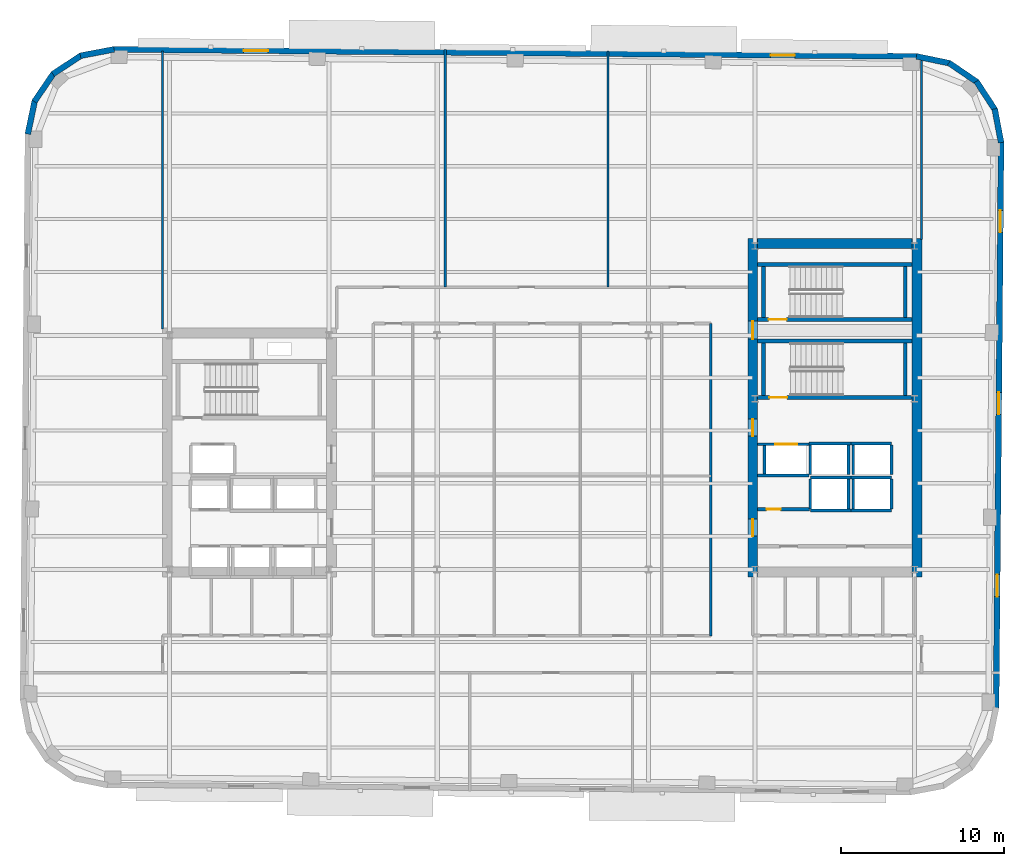
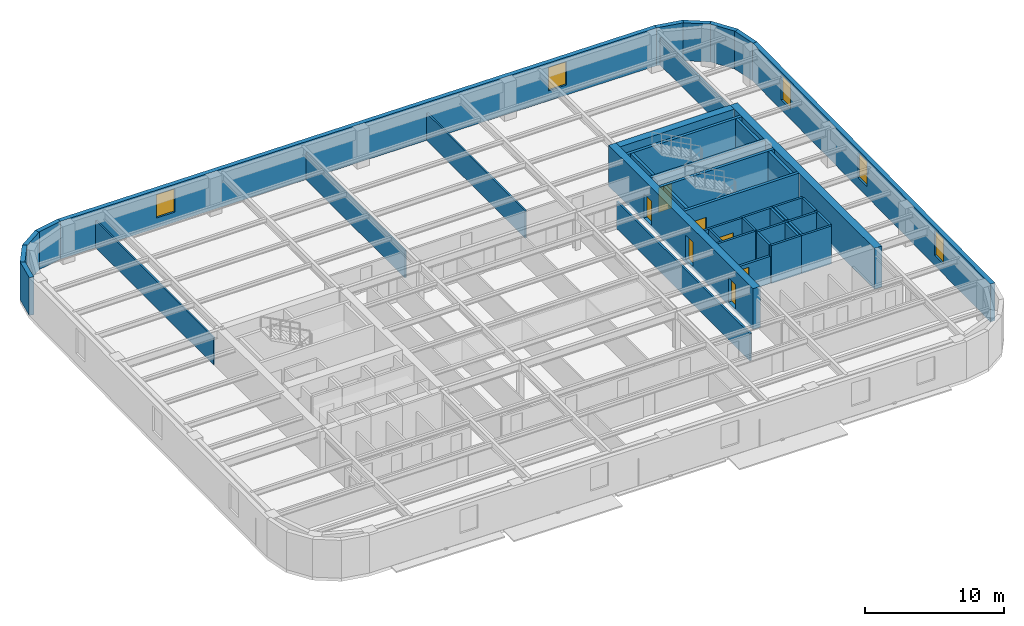
# One storey, part 6 of 11: 44 walls, 7 doors, 5 windows, 12 openings.
"""IFC4 building model written with IfcOpenShell, lengths in metres."""

from ifc_helpers import new_model, si_unit, direction, frame, frame_2d, origin, place, context, subcontext, project, spatial, rectangle, extrude, material, layer, layer_set, type_object, element, fill, save


model = new_model("IFC4")

# Units and contexts
model_context = context("Model", 3, precision=1e-05, world=origin(), true_north=direction((0.0, 1.0)))
body_context = subcontext(model_context, "Body", "Model", "MODEL_VIEW")
ifc_project = project(units=[si_unit("LENGTHUNIT", "METRE"), si_unit("AREAUNIT", "SQUARE_METRE"), si_unit("VOLUMEUNIT", "CUBIC_METRE"), si_unit("PLANEANGLEUNIT", "RADIAN"), si_unit("MASSUNIT", "GRAM", prefix="KILO")], contexts=[model_context])

# Site, building, storey
site_placement = place(None, origin())
site = spatial("IfcSite", under=ifc_project, at=site_placement, CompositionType="ELEMENT")
building_placement = place(site_placement, origin())
building = spatial("IfcBuilding", under=site, at=building_placement, Name="Kolvaren Arena Tower", CompositionType="ELEMENT")
storey_placement = place(building_placement, frame((0.0, 0.0, 207.199951171875)))
storey = spatial("IfcBuildingStorey", under=building, at=storey_placement, Name="L50", CompositionType="ELEMENT", Elevation=207.199951171875)

# Wall
ifc_material_1 = material(Name="Gypsum board acoustic assembly", Category="gypsum")
ifc_layer_1 = layer(ifc_material_1, 0.159912109375)
ifc_layer_set_1 = layer_set([ifc_layer_1], Name="Gypsum board acoustic assembly")
wall_type_1 = type_object("IfcWallType", Name="CORR-160", PredefinedType="PARTITIONING", material=ifc_layer_set_1)
wall_1_placement = place(storey_placement, frame((47.820068359375, 15.3798828125, 0.0), z_axis=(0.0, 0.0, 1.0), x_axis=(0.0, 1.0, 0.0)))
element("IfcWall", 1, at=wall_1_placement, inside=storey, type_object=wall_type_1, Name="Interior Partition Wall (L50)", PredefinedType="PARTITIONING", context=body_context, shape_type="SweptSolid", body=[
    extrude(rectangle(XDim=19.2001953125, YDim=0.159912109375, at=frame_2d((9.60009765625, 0.0))), origin(), (0.0, 0.0, 1.0), 2.39013671875),
])

# Wall, openings, doors
ifc_material_2 = material(Name="Concrete 60 MPa", Category="concrete")
ifc_layer_2 = layer(ifc_material_2, 0.60009765625)
ifc_layer_set_2 = layer_set([ifc_layer_2], Name="Concrete 60 MPa")
wall_type_2 = type_object("IfcWallType", Name="CWALL-600", PredefinedType="SHEAR", material=ifc_layer_set_2)
wall_2_placement = place(storey_placement, frame((50.39990234375, 19.0, -0.27001953125), z_axis=(0.0, 0.0, 1.0), x_axis=(0.0, 1.0, 0.0)))
wall_2 = element("IfcWall", 2, at=wall_2_placement, inside=storey, type_object=wall_type_2, Name="Core Shear Wall EC-WEST (L50)", PredefinedType="SHEAR", context=body_context, shape_type="SweptSolid", body=[
    extrude(rectangle(XDim=20.800048828125, YDim=0.60009765625, at=frame_2d((10.39990234375, 0.0))), origin(), (0.0, 0.0, 1.0), 3.60009765625),
])
opening_1_placement = place(wall_2_placement, frame((2.5, 0.0, 0.27001953125)))
opening_1 = element("IfcOpeningElement", 3, at=opening_1_placement, cuts=wall_2, Name="Opening D04", PredefinedType="OPENING", context=body_context, shape_type="SweptSolid", body=[
    extrude(rectangle(XDim=1.050048828125, YDim=2.14990234375, at=frame_2d((0.52490234375, 1.074951171875))), frame((0.0, 0.31005859375, 0.0), z_axis=(0.0, -1.0, 0.0), x_axis=(1.0, 0.0, 0.0)), (0.0, 0.0, 1.0), 0.6201171875),
])
opening_2_placement = place(wall_2_placement, frame((8.64990234375, 0.0, 0.27001953125)))
opening_2 = element("IfcOpeningElement", 4, at=opening_2_placement, cuts=wall_2, Name="Opening D04", PredefinedType="OPENING", context=body_context, shape_type="SweptSolid", body=[
    extrude(rectangle(XDim=1.050048828125, YDim=2.14990234375, at=frame_2d((0.52490234375, 1.074951171875))), frame((0.0, 0.31005859375, 0.0), z_axis=(0.0, -1.0, 0.0), x_axis=(1.0, 0.0, 0.0)), (0.0, 0.0, 1.0), 0.6201171875),
])
opening_3_placement = place(wall_2_placement, frame((14.6201171875, 0.0, 0.27001953125)))
opening_3 = element("IfcOpeningElement", 5, at=opening_3_placement, cuts=wall_2, Name="Opening D03", PredefinedType="OPENING", context=body_context, shape_type="SweptSolid", body=[
    extrude(rectangle(XDim=1.10009765625, YDim=2.14990234375, at=frame_2d((0.550048828125, 1.074951171875))), frame((0.0, 0.31005859375, 0.0), z_axis=(0.0, -1.0, 0.0), x_axis=(1.0, 0.0, 0.0)), (0.0, 0.0, 1.0), 0.6201171875),
])
ifc_material_3 = material(Name="Fire-rated steel lobby door", Category="steel")
door_type_1 = type_object("IfcDoorType", Name="DOOR-FF-105", OperationType="NOTDEFINED", PredefinedType="DOOR", material=ifc_material_3)
door_1_placement = place(opening_1_placement, origin())
door_1 = element("IfcDoor", 6, at=door_1_placement, inside=storey, type_object=door_type_1, Name="East Lift Lobby Fire Door (L50)", OperationType="SINGLE_SWING_RIGHT", OverallHeight=2.14990234375, OverallWidth=1.050048828125, PredefinedType="DOOR", context=body_context, shape_type="SweptSolid", body=[
    extrude(rectangle(XDim=1.050048828125, YDim=2.14990234375, at=frame_2d((0.52490234375, 1.074951171875))), frame((0.0, 0.02490234375, 0.0), z_axis=(0.0, -1.0, 0.0), x_axis=(1.0, 0.0, 0.0)), (0.0, 0.0, 1.0), 0.050048828125),
])
fill(opening_1, door_1)
door_2_placement = place(opening_2_placement, origin())
door_2 = element("IfcDoor", 7, at=door_2_placement, inside=storey, type_object=door_type_1, Name="East Firefighter Vestibule Door (L50)", OperationType="SINGLE_SWING_LEFT", OverallHeight=2.14990234375, OverallWidth=1.050048828125, PredefinedType="DOOR", context=body_context, shape_type="SweptSolid", body=[
    extrude(rectangle(XDim=1.050048828125, YDim=2.14990234375, at=frame_2d((0.52490234375, 1.074951171875))), frame((0.0, 0.02490234375, 0.0), z_axis=(0.0, -1.0, 0.0), x_axis=(1.0, 0.0, 0.0)), (0.0, 0.0, 1.0), 0.050048828125),
])
fill(opening_2, door_2)
ifc_material_4 = material(Name="Fire-rated steel exit stair door", Category="steel")
door_type_2 = type_object("IfcDoorType", Name="DOOR-ST-110", OperationType="NOTDEFINED", PredefinedType="DOOR", material=ifc_material_4)
door_3_placement = place(opening_3_placement, origin())
door_3 = element("IfcDoor", 8, at=door_3_placement, inside=storey, type_object=door_type_2, Name="Stair ST-E2 Vestibule Fire Door (L50)", OperationType="SINGLE_SWING_LEFT", OverallHeight=2.14990234375, OverallWidth=1.10009765625, PredefinedType="DOOR", context=body_context, shape_type="SweptSolid", body=[
    extrude(rectangle(XDim=1.10009765625, YDim=2.14990234375, at=frame_2d((0.550048828125, 1.074951171875))), frame((0.0, 0.02490234375, 0.0), z_axis=(0.0, -1.0, 0.0), x_axis=(1.0, 0.0, 0.0)), (0.0, 0.0, 1.0), 0.050048828125),
])
fill(opening_3, door_3)

# Walls
wall_3_placement = place(storey_placement, frame((60.5, 19.0, -0.27001953125), z_axis=(0.0, 0.0, 1.0), x_axis=(0.0, 1.0, 0.0)))
element("IfcWall", 9, at=wall_3_placement, inside=storey, type_object=wall_type_2, Name="Core Shear Wall EC-EAST (L50)", PredefinedType="SHEAR", context=body_context, shape_type="SweptSolid", body=[
    extrude(rectangle(XDim=20.800048828125, YDim=0.60009765625, at=frame_2d((10.39990234375, 0.0))), origin(), (0.0, 0.0, 1.0), 3.60009765625),
])
wall_4_placement = place(storey_placement, frame((50.699951171875, 39.5, -0.27001953125), z_axis=(0.0, 0.0, 1.0), x_axis=(1.0, 0.0, 0.0)))
element("IfcWall", 10, at=wall_4_placement, inside=storey, type_object=wall_type_2, Name="Core Shear Wall EC-NORTH (L50)", PredefinedType="SHEAR", context=body_context, shape_type="SweptSolid", body=[
    extrude(rectangle(XDim=9.5, YDim=0.60009765625, at=frame_2d((4.75, 0.0))), origin(), (0.0, 0.0, 1.0), 3.60009765625),
])

# Wall, openings, windows
ifc_material_5 = material(Name="Precast concrete C50/60", Category="concrete")
ifc_layer_3 = layer(ifc_material_5, 0.360107421875)
ifc_layer_set_3 = layer_set([ifc_layer_3], Name="Precast concrete C50/60")
wall_type_3 = type_object("IfcWallType", Name="EXT-PIER2", PredefinedType="SOLIDWALL", material=ifc_layer_set_3)
wall_5_placement = place(storey_placement, frame((65.670654296875, 45.73828125, 0.0), z_axis=(0.0, 0.0, 1.0), x_axis=(-0.008727348535, -0.999961915969, 0.0)))
wall_5 = element("IfcWall", 11, at=wall_5_placement, inside=storey, type_object=wall_type_3, Name="Exterior Precast Masonry-Frame Wall (L50)", PredefinedType="SOLIDWALL", context=body_context, shape_type="SweptSolid", body=[
    extrude(rectangle(XDim=34.7998046875, YDim=0.360107421875, at=frame_2d((17.39990234375, 0.0))), origin(), (0.0, 0.0, 1.0), 3.330078125),
])
opening_4_placement = place(wall_5_placement, frame((4.199951171875, 0.0, 0.8798828125)))
opening_4 = element("IfcOpeningElement", 12, at=opening_4_placement, cuts=wall_5, Name="Opening W04", PredefinedType="OPENING", context=body_context, shape_type="SweptSolid", body=[
    extrude(rectangle(XDim=1.35009765625, YDim=2.199951171875, at=frame_2d((0.675048828125, 1.10009765625))), frame((0.0, 0.18994140625, 0.0), z_axis=(0.0, -1.0, 0.0), x_axis=(1.0, 0.0, 0.0)), (0.0, 0.0, 1.0), 0.380126953125),
])
opening_5_placement = place(wall_5_placement, frame((15.39990234375, 0.0, 0.8798828125)))
opening_5 = element("IfcOpeningElement", 13, at=opening_5_placement, cuts=wall_5, Name="Opening W04", PredefinedType="OPENING", context=body_context, shape_type="SweptSolid", body=[
    extrude(rectangle(XDim=1.35009765625, YDim=2.199951171875, at=frame_2d((0.675048828125, 1.10009765625))), frame((0.0, 0.18994140625, 0.0), z_axis=(0.0, -1.0, 0.0), x_axis=(1.0, 0.0, 0.0)), (0.0, 0.0, 1.0), 0.380126953125),
])
opening_6_placement = place(wall_5_placement, frame((26.60009765625, 0.0, 0.8798828125)))
opening_6 = element("IfcOpeningElement", 14, at=opening_6_placement, cuts=wall_5, Name="Opening W04", PredefinedType="OPENING", context=body_context, shape_type="SweptSolid", body=[
    extrude(rectangle(XDim=1.35009765625, YDim=2.199951171875, at=frame_2d((0.675048828125, 1.10009765625))), frame((0.0, 0.18994140625, 0.0), z_axis=(0.0, -1.0, 0.0), x_axis=(1.0, 0.0, 0.0)), (0.0, 0.0, 1.0), 0.380126953125),
])
ifc_material_6 = material(Name="Triple-glazed curved-facet corner window", Category="glass")
window_type_1 = type_object("IfcWindowType", Name="WIN-CRN-A", PartitioningType="SINGLE_PANEL", PredefinedType="WINDOW", material=ifc_material_6)
window_1_placement = place(opening_4_placement, origin())
window_1 = element("IfcWindow", 15, at=window_1_placement, inside=storey, type_object=window_type_1, Name="End-Wall Punched Window (L50)", OverallHeight=2.199951171875, OverallWidth=1.35009765625, PartitioningType="SINGLE_PANEL", PredefinedType="WINDOW", context=body_context, shape_type="SweptSolid", body=[
    extrude(rectangle(XDim=1.35009765625, YDim=2.199951171875, at=frame_2d((0.675048828125, 1.10009765625))), frame((0.0, 0.030029296875, 0.0), z_axis=(0.0, -1.0, 0.0), x_axis=(1.0, 0.0, 0.0)), (0.0, 0.0, 1.0), 0.06005859375),
])
fill(opening_4, window_1)
window_2_placement = place(opening_5_placement, origin())
window_2 = element("IfcWindow", 16, at=window_2_placement, inside=storey, type_object=window_type_1, Name="End-Wall Punched Window (L50)", OverallHeight=2.199951171875, OverallWidth=1.35009765625, PartitioningType="SINGLE_PANEL", PredefinedType="WINDOW", context=body_context, shape_type="SweptSolid", body=[
    extrude(rectangle(XDim=1.35009765625, YDim=2.199951171875, at=frame_2d((0.675048828125, 1.10009765625))), frame((0.0, 0.030029296875, 0.0), z_axis=(0.0, -1.0, 0.0), x_axis=(1.0, 0.0, 0.0)), (0.0, 0.0, 1.0), 0.06005859375),
])
fill(opening_5, window_2)
window_3_placement = place(opening_6_placement, origin())
window_3 = element("IfcWindow", 17, at=window_3_placement, inside=storey, type_object=window_type_1, Name="End-Wall Punched Window (L50)", OverallHeight=2.199951171875, OverallWidth=1.35009765625, PartitioningType="SINGLE_PANEL", PredefinedType="WINDOW", context=body_context, shape_type="SweptSolid", body=[
    extrude(rectangle(XDim=1.35009765625, YDim=2.199951171875, at=frame_2d((0.675048828125, 1.10009765625))), frame((0.0, 0.030029296875, 0.0), z_axis=(0.0, -1.0, 0.0), x_axis=(1.0, 0.0, 0.0)), (0.0, 0.0, 1.0), 0.06005859375),
])
fill(opening_6, window_3)

# Walls
wall_6_placement = place(storey_placement, frame((65.281005859375, 47.773193359375, 0.0), z_axis=(0.0, 0.0, 1.0), x_axis=(0.186435855703, -0.98246713518, 0.0)))
element("IfcWall", 18, at=wall_6_placement, inside=storey, type_object=wall_type_3, Name="Exterior Precast Masonry-Frame Wall (L50)", PredefinedType="SOLIDWALL", context=body_context, shape_type="SweptSolid", body=[
    extrude(rectangle(XDim=2.10693359375, YDim=0.360107421875, at=frame_2d((1.053466796875, 0.0))), origin(), (0.0, 0.0, 1.0), 3.330078125),
])
wall_7_placement = place(storey_placement, frame((64.152099609375, 49.469970703125, 0.0), z_axis=(0.0, 0.0, 1.0), x_axis=(0.548238722478, -0.83632188969, 0.0)))
element("IfcWall", 19, at=wall_7_placement, inside=storey, type_object=wall_type_3, Name="Exterior Precast Masonry-Frame Wall (L50)", PredefinedType="SOLIDWALL", context=body_context, shape_type="SweptSolid", body=[
    extrude(rectangle(XDim=2.106689453125, YDim=0.360107421875, at=frame_2d((1.05322265625, 0.0))), origin(), (0.0, 0.0, 1.0), 3.330078125),
])
wall_8_placement = place(storey_placement, frame((62.45947265625, 50.605712890625, 0.0), z_axis=(0.0, 0.0, 1.0), x_axis=(0.826609569219, -0.56277581689, 0.0)))
element("IfcWall", 20, at=wall_8_placement, inside=storey, type_object=wall_type_3, Name="Exterior Precast Masonry-Frame Wall (L50)", PredefinedType="SOLIDWALL", context=body_context, shape_type="SweptSolid", body=[
    extrude(rectangle(XDim=2.10693359375, YDim=0.360107421875, at=frame_2d((1.053466796875, 0.0))), origin(), (0.0, 0.0, 1.0), 3.330078125),
])
wall_9_placement = place(storey_placement, frame((60.461181640625, 51.00732421875, 0.0), z_axis=(0.0, 0.0, 1.0), x_axis=(0.979059388908, -0.203574833883, 0.0)))
element("IfcWall", 21, at=wall_9_placement, inside=storey, type_object=wall_type_3, Name="Exterior Precast Masonry-Frame Wall (L50)", PredefinedType="SOLIDWALL", context=body_context, shape_type="SweptSolid", body=[
    extrude(rectangle(XDim=2.107177734375, YDim=0.360107421875, at=frame_2d((1.0537109375, 0.0))), origin(), (0.0, 0.0, 1.0), 3.330078125),
])

# Wall, openings, windows
wall_10_placement = place(storey_placement, frame((11.098388671875, 51.434814453125, 0.0), z_axis=(0.0, 0.0, 1.0), x_axis=(0.99996191194, -0.008727810138, 0.0)))
wall_10 = element("IfcWall", 22, at=wall_10_placement, inside=storey, type_object=wall_type_3, Name="Exterior Precast Masonry-Frame Wall (L50)", PredefinedType="SOLIDWALL", context=body_context, shape_type="SweptSolid", body=[
    extrude(rectangle(XDim=49.39990234375, YDim=0.360107421875, at=frame_2d((24.699951171875, 0.0))), origin(), (0.0, 0.0, 1.0), 3.330078125),
])
opening_7_placement = place(wall_10_placement, frame((8.0, 0.0, 0.8798828125)))
opening_7 = element("IfcOpeningElement", 23, at=opening_7_placement, cuts=wall_10, Name="Opening W03", PredefinedType="OPENING", context=body_context, shape_type="SweptSolid", body=[
    extrude(rectangle(XDim=1.5, YDim=2.050048828125, at=frame_2d((0.75, 1.02490234375))), frame((0.0, 0.18994140625, 0.0), z_axis=(0.0, -1.0, 0.0), x_axis=(1.0, 0.0, 0.0)), (0.0, 0.0, 1.0), 0.380126953125),
])
opening_8_placement = place(wall_10_placement, frame((40.39990234375, 0.0, 0.8798828125)))
opening_8 = element("IfcOpeningElement", 24, at=opening_8_placement, cuts=wall_10, Name="Opening W03", PredefinedType="OPENING", context=body_context, shape_type="SweptSolid", body=[
    extrude(rectangle(XDim=1.5, YDim=2.050048828125, at=frame_2d((0.75, 1.02490234375))), frame((0.0, 0.18994140625, 0.0), z_axis=(0.0, -1.0, 0.0), x_axis=(1.0, 0.0, 0.0)), (0.0, 0.0, 1.0), 0.380126953125),
])
ifc_material_7 = material(Name="Triple-glazed low-E aluminium window", Category="aluminium")
window_type_2 = type_object("IfcWindowType", Name="WIN-OFF-C", PartitioningType="SINGLE_PANEL", PredefinedType="WINDOW", material=ifc_material_7)
window_4_placement = place(opening_7_placement, origin())
window_4 = element("IfcWindow", 25, at=window_4_placement, inside=storey, type_object=window_type_2, Name="Punched Precast-Pier Window (L50)", OverallHeight=2.050048828125, OverallWidth=1.5, PartitioningType="SINGLE_PANEL", PredefinedType="WINDOW", context=body_context, shape_type="SweptSolid", body=[
    extrude(rectangle(XDim=1.5, YDim=2.050048828125, at=frame_2d((0.75, 1.02490234375))), frame((0.0, 0.030029296875, 0.0), z_axis=(0.0, -1.0, 0.0), x_axis=(1.0, 0.0, 0.0)), (0.0, 0.0, 1.0), 0.06005859375),
])
fill(opening_7, window_4)
window_5_placement = place(opening_8_placement, origin())
window_5 = element("IfcWindow", 26, at=window_5_placement, inside=storey, type_object=window_type_2, Name="Punched Precast-Pier Window (L50)", OverallHeight=2.050048828125, OverallWidth=1.5, PartitioningType="SINGLE_PANEL", PredefinedType="WINDOW", context=body_context, shape_type="SweptSolid", body=[
    extrude(rectangle(XDim=1.5, YDim=2.050048828125, at=frame_2d((0.75, 1.02490234375))), frame((0.0, 0.030029296875, 0.0), z_axis=(0.0, -1.0, 0.0), x_axis=(1.0, 0.0, 0.0)), (0.0, 0.0, 1.0), 0.06005859375),
])
fill(opening_8, window_5)

# Walls
wall_11_placement = place(storey_placement, frame((9.0634765625, 51.044921875, 0.0), z_axis=(0.0, 0.0, 1.0), x_axis=(0.982445905584, 0.186547695246, 0.0)))
element("IfcWall", 27, at=wall_11_placement, inside=storey, type_object=wall_type_3, Name="Exterior Precast Masonry-Frame Wall (L50)", PredefinedType="SOLIDWALL", context=body_context, shape_type="SweptSolid", body=[
    extrude(rectangle(XDim=2.107177734375, YDim=0.360107421875, at=frame_2d((1.0537109375, 0.0))), origin(), (0.0, 0.0, 1.0), 3.330078125),
])
for number, where, z_axis, x_axis, name in (
    (28, (7.36669921875, 49.916015625, 0.0), (0.0, 0.0, 1.0), (0.836268756678, 0.548319766745, 0.0), "Exterior Precast Masonry-Frame Wall (L50)"),
    (29, (6.23095703125, 48.223388671875, 0.0), (0.0, 0.0, 1.0), (0.56277581689, 0.826609569219, 0.0), "Exterior Precast Masonry-Frame Wall (L50)"),
    (30, (5.8291015625, 46.225341796875, 0.0), (0.0, 0.0, 1.0), (0.203709000552, 0.979031482177, 0.0), "Exterior Precast Masonry-Frame Wall (L50)"),
):
    element("IfcWall", number, at=place(storey_placement, frame(where, z_axis=z_axis, x_axis=x_axis)), inside=storey, type_object=wall_type_3, Name=name, PredefinedType="SOLIDWALL", context=body_context, shape_type="SweptSolid", body=[
        extrude(rectangle(XDim=2.10693359375, YDim=0.360107421875, at=frame_2d((1.053466796875, 0.0))), origin(), (0.0, 0.0, 1.0), 3.330078125),
    ])

# Wall, opening, door
ifc_material_8 = material(Name="Concrete 40 MPa", Category="concrete")
ifc_layer_4 = layer(ifc_material_8, 0.199951171875)
ifc_layer_set_4 = layer_set([ifc_layer_4], Name="Concrete 40 MPa")
wall_type_4 = type_object("IfcWallType", Name="LOBBY-200", PredefinedType="SOLIDWALL", material=ifc_layer_set_4)
wall_12_placement = place(storey_placement, frame((50.699951171875, 23.159912109375, 0.0), z_axis=(0.0, 0.0, 1.0), x_axis=(1.0, 0.0, 0.0)))
wall_12 = element("IfcWall", 31, at=wall_12_placement, inside=storey, type_object=wall_type_4, Name="Core Shaft Wall (L50)", PredefinedType="SOLIDWALL", context=body_context, shape_type="SweptSolid", body=[
    extrude(rectangle(XDim=3.179931640625, YDim=0.199951171875, at=frame_2d((1.58984375, 0.0))), origin(), (0.0, 0.0, 1.0), 2.39013671875),
])
opening_9_placement = place(wall_12_placement, frame((0.550048828125, 0.0, 0.0)))
opening_9 = element("IfcOpeningElement", 32, at=opening_9_placement, cuts=wall_12, Name="Opening D09", PredefinedType="OPENING", context=body_context, shape_type="SweptSolid", body=[
    extrude(rectangle(XDim=0.860107421875, YDim=2.050048828125, at=frame_2d((0.43017578125, 1.02490234375))), frame((0.0, 0.10986328125, 0.0), z_axis=(0.0, -1.0, 0.0), x_axis=(1.0, 0.0, 0.0)), (0.0, 0.0, 1.0), 0.219970703125),
])
ifc_material_9 = material(Name="Fire-rated steel riser access door", Category="steel")
door_type_3 = type_object("IfcDoorType", Name="DOOR-RS-086", OperationType="NOTDEFINED", PredefinedType="DOOR", material=ifc_material_9)
door_4_placement = place(opening_9_placement, origin())
door_4 = element("IfcDoor", 33, at=door_4_placement, inside=storey, type_object=door_type_3, Name="East AV Riser Closet Door (L50)", OperationType="SINGLE_SWING_LEFT", OverallHeight=2.050048828125, OverallWidth=0.860107421875, PredefinedType="DOOR", context=body_context, shape_type="SweptSolid", body=[
    extrude(rectangle(XDim=0.860107421875, YDim=2.050048828125, at=frame_2d((0.43017578125, 1.02490234375))), frame((0.0, 0.02490234375, 0.0), z_axis=(0.0, -1.0, 0.0), x_axis=(1.0, 0.0, 0.0)), (0.0, 0.0, 1.0), 0.050048828125),
])
fill(opening_9, door_4)

# Walls
ifc_material_10 = material(Name="Gypsum board partition assembly", Category="gypsum")
ifc_layer_5 = layer(ifc_material_10, 0.135009765625)
ifc_layer_set_5 = layer_set([ifc_layer_5], Name="Gypsum board partition assembly")
wall_type_5 = type_object("IfcWallType", Name="PART-135", PredefinedType="PARTITIONING", material=ifc_layer_set_5)
wall_13_placement = place(storey_placement, frame((31.5, 36.820068359375, 0.0), z_axis=(0.0, 0.0, 1.0), x_axis=(0.0, 1.0, 0.0)))
element("IfcWall", 34, at=wall_13_placement, inside=storey, type_object=wall_type_5, Name="Interior Partition Wall (L50)", PredefinedType="PARTITIONING", context=body_context, shape_type="SweptSolid", body=[
    extrude(rectangle(XDim=14.61669921875, YDim=0.135009765625, at=frame_2d((7.308349609375, 0.0))), origin(), (0.0, 0.0, 1.0), 2.39013671875),
])
wall_14_placement = place(storey_placement, frame((41.5, 36.820068359375, 0.0), z_axis=(0.0, 0.0, 1.0), x_axis=(0.0, 1.0, 0.0)))
element("IfcWall", 35, at=wall_14_placement, inside=storey, type_object=wall_type_5, Name="Interior Partition Wall (L50)", PredefinedType="PARTITIONING", context=body_context, shape_type="SweptSolid", body=[
    extrude(rectangle(XDim=14.529296875, YDim=0.135009765625, at=frame_2d((7.2646484375, 0.0))), origin(), (0.0, 0.0, 1.0), 2.39013671875),
])
wall_15_placement = place(storey_placement, frame((14.1201171875, 34.25, 0.0), z_axis=(0.0, 0.0, 1.0), x_axis=(0.0, 1.0, 0.0)))
element("IfcWall", 36, at=wall_15_placement, inside=storey, type_object=wall_type_5, Name="Interior Partition Wall (L50)", PredefinedType="PARTITIONING", context=body_context, shape_type="SweptSolid", body=[
    extrude(rectangle(XDim=17.098388671875, YDim=0.135009765625, at=frame_2d((8.54931640625, 0.0))), origin(), (0.0, 0.0, 1.0), 2.39013671875),
])
wall_16_placement = place(storey_placement, frame((60.780029296875, 39.75, 0.0), z_axis=(0.0, 0.0, 1.0), x_axis=(0.0, 1.0, 0.0)))
element("IfcWall", 37, at=wall_16_placement, inside=storey, type_object=wall_type_5, Name="Interior Partition Wall (L50)", PredefinedType="PARTITIONING", context=body_context, shape_type="SweptSolid", body=[
    extrude(rectangle(XDim=11.1298828125, YDim=0.135009765625, at=frame_2d((5.56494140625, 0.0))), origin(), (0.0, 0.0, 1.0), 2.39013671875),
])

# Wall, opening, door
ifc_material_11 = material(Name="Concrete 45 MPa", Category="concrete")
ifc_layer_6 = layer(ifc_material_11, 0.25)
ifc_layer_set_6 = layer_set([ifc_layer_6], Name="Concrete 45 MPa")
wall_type_6 = type_object("IfcWallType", Name="SHAFT-250", PredefinedType="SOLIDWALL", material=ifc_layer_set_6)
wall_17_placement = place(storey_placement, frame((60.199951171875, 30.030029296875, 0.0), z_axis=(0.0, 0.0, 1.0), x_axis=(-1.0, 0.0, 0.0)))
wall_17 = element("IfcWall", 38, at=wall_17_placement, inside=storey, type_object=wall_type_6, Name="Core Shaft Wall (L50)", PredefinedType="SOLIDWALL", context=body_context, shape_type="SweptSolid", body=[
    extrude(rectangle(XDim=9.5, YDim=0.239990234375, at=frame_2d((4.75, 0.0))), origin(), (0.0, 0.0, 1.0), 3.330078125),
])
opening_10_placement = place(wall_17_placement, frame((7.679931640625, 0.0, 0.0)))
opening_10 = element("IfcOpeningElement", 39, at=opening_10_placement, cuts=wall_17, Name="Opening D03", PredefinedType="OPENING", context=body_context, shape_type="SweptSolid", body=[
    extrude(rectangle(XDim=1.10009765625, YDim=2.14990234375, at=frame_2d((0.550048828125, 1.074951171875))), frame((0.0, 0.1298828125, 0.0), z_axis=(0.0, -1.0, 0.0), x_axis=(1.0, 0.0, 0.0)), (0.0, 0.0, 1.0), 0.260009765625),
])
door_5_placement = place(opening_10_placement, origin())
door_5 = element("IfcDoor", 40, at=door_5_placement, inside=storey, type_object=door_type_2, Name="Stair ST-E1 Fire Door (L50)", OperationType="SINGLE_SWING_LEFT", OverallHeight=2.14990234375, OverallWidth=1.10009765625, PredefinedType="DOOR", context=body_context, shape_type="SweptSolid", body=[
    extrude(rectangle(XDim=1.10009765625, YDim=2.14990234375, at=frame_2d((0.550048828125, 1.074951171875))), frame((0.0, 0.02490234375, 0.0), z_axis=(0.0, -1.0, 0.0), x_axis=(1.0, 0.0, 0.0)), (0.0, 0.0, 1.0), 0.050048828125),
])
fill(opening_10, door_5)

# Walls
wall_18_placement = place(storey_placement, frame((50.699951171875, 33.5, 0.0), z_axis=(0.0, 0.0, 1.0), x_axis=(1.0, 0.0, 0.0)))
element("IfcWall", 41, at=wall_18_placement, inside=storey, type_object=wall_type_6, Name="Core Shaft Wall (L50)", PredefinedType="SOLIDWALL", context=body_context, shape_type="SweptSolid", body=[
    extrude(rectangle(XDim=9.5, YDim=0.239990234375, at=frame_2d((4.75, 0.0))), origin(), (0.0, 0.0, 1.0), 3.330078125),
])
for number, where, z_axis, x_axis, name in (
    (42, (51.06005859375, 30.14990234375, 0.0), (0.0, 0.0, 1.0), (0.0, 1.0, 0.0), "Core Shaft Wall (L50)"),
    (43, (59.780029296875, 30.14990234375, 0.0), (0.0, 0.0, 1.0), (0.0, 1.0, 0.0), "Core Shaft Wall (L50)"),
):
    element("IfcWall", number, at=place(storey_placement, frame(where, z_axis=z_axis, x_axis=x_axis)), inside=storey, type_object=wall_type_6, Name=name, PredefinedType="SOLIDWALL", context=body_context, shape_type="SweptSolid", body=[
        extrude(rectangle(XDim=3.22998046875, YDim=0.239990234375, at=frame_2d((1.614990234375, 0.0))), origin(), (0.0, 0.0, 1.0), 3.330078125),
    ])

# Wall, opening, door
wall_19_placement = place(storey_placement, frame((60.199951171875, 34.830078125, 0.0), z_axis=(0.0, 0.0, 1.0), x_axis=(-1.0, 0.0, 0.0)))
wall_19 = element("IfcWall", 44, at=wall_19_placement, inside=storey, type_object=wall_type_6, Name="Core Shaft Wall (L50)", PredefinedType="SOLIDWALL", context=body_context, shape_type="SweptSolid", body=[
    extrude(rectangle(XDim=9.5, YDim=0.239990234375, at=frame_2d((4.75, 0.0))), origin(), (0.0, 0.0, 1.0), 3.330078125),
])
opening_11_placement = place(wall_19_placement, frame((7.719970703125, 0.0, 0.0)))
opening_11 = element("IfcOpeningElement", 45, at=opening_11_placement, cuts=wall_19, Name="Opening D03", PredefinedType="OPENING", context=body_context, shape_type="SweptSolid", body=[
    extrude(rectangle(XDim=1.10009765625, YDim=2.14990234375, at=frame_2d((0.550048828125, 1.074951171875))), frame((0.0, 0.1298828125, 0.0), z_axis=(0.0, -1.0, 0.0), x_axis=(1.0, 0.0, 0.0)), (0.0, 0.0, 1.0), 0.260009765625),
])
door_6_placement = place(opening_11_placement, origin())
door_6 = element("IfcDoor", 46, at=door_6_placement, inside=storey, type_object=door_type_2, Name="Stair ST-E2 Fire Door (L50)", OperationType="SINGLE_SWING_LEFT", OverallHeight=2.14990234375, OverallWidth=1.10009765625, PredefinedType="DOOR", context=body_context, shape_type="SweptSolid", body=[
    extrude(rectangle(XDim=1.10009765625, YDim=2.14990234375, at=frame_2d((0.550048828125, 1.074951171875))), frame((0.0, 0.02490234375, 0.0), z_axis=(0.0, -1.0, 0.0), x_axis=(1.0, 0.0, 0.0)), (0.0, 0.0, 1.0), 0.050048828125),
])
fill(opening_11, door_6)

# Walls
wall_20_placement = place(storey_placement, frame((50.699951171875, 38.219970703125, 0.0), z_axis=(0.0, 0.0, 1.0), x_axis=(1.0, 0.0, 0.0)))
element("IfcWall", 47, at=wall_20_placement, inside=storey, type_object=wall_type_6, Name="Core Shaft Wall (L50)", PredefinedType="SOLIDWALL", context=body_context, shape_type="SweptSolid", body=[
    extrude(rectangle(XDim=9.5, YDim=0.239990234375, at=frame_2d((4.75, 0.0))), origin(), (0.0, 0.0, 1.0), 3.330078125),
])
for number, where, z_axis, x_axis, name in (
    (48, (51.06005859375, 34.949951171875, 0.0), (0.0, 0.0, 1.0), (0.0, 1.0, 0.0), "Core Shaft Wall (L50)"),
    (49, (59.780029296875, 34.949951171875, 0.0), (0.0, 0.0, 1.0), (0.0, 1.0, 0.0), "Core Shaft Wall (L50)"),
):
    element("IfcWall", number, at=place(storey_placement, frame(where, z_axis=z_axis, x_axis=x_axis)), inside=storey, type_object=wall_type_6, Name=name, PredefinedType="SOLIDWALL", context=body_context, shape_type="SweptSolid", body=[
        extrude(rectangle(XDim=3.150146484375, YDim=0.239990234375, at=frame_2d((1.5751953125, 0.0))), origin(), (0.0, 0.0, 1.0), 3.330078125),
    ])
for number, where, z_axis, x_axis, name in (
    (50, (53.93994140625, 25.10498046875, 0.0), (0.0, 0.0, 1.0), (1.0, 0.0, 0.0), "Core Shaft Wall (L50)"),
    (51, (53.93994140625, 23.094970703125, 0.0), (0.0, 0.0, 1.0), (1.0, 0.0, 0.0), "Core Shaft Wall (L50)"),
):
    element("IfcWall", number, at=place(storey_placement, frame(where, z_axis=z_axis, x_axis=x_axis)), inside=storey, type_object=wall_type_6, Name=name, PredefinedType="SOLIDWALL", context=body_context, shape_type="SweptSolid", body=[
        extrude(rectangle(XDim=2.5, YDim=0.179931640625, at=frame_2d((1.25, 0.0))), origin(), (0.0, 0.0, 1.0), 3.330078125),
    ])
for number, where, z_axis, x_axis, name in (
    (52, (53.93994140625, 23.18505859375, 0.0), (0.0, 0.0, 1.0), (0.0, 1.0, 0.0), "Core Shaft Wall (L50)"),
    (53, (56.300048828125, 23.18505859375, 0.0), (0.0, 0.0, 1.0), (0.0, 1.0, 0.0), "Core Shaft Wall (L50)"),
):
    element("IfcWall", number, at=place(storey_placement, frame(where, z_axis=z_axis, x_axis=x_axis)), inside=storey, type_object=wall_type_6, Name=name, PredefinedType="SOLIDWALL", context=body_context, shape_type="SweptSolid", body=[
        extrude(rectangle(XDim=1.829833984375, YDim=0.179931640625, at=frame_2d((0.9150390625, 0.0))), origin(), (0.0, 0.0, 1.0), 3.330078125),
    ])
for number, where, z_axis, x_axis, name in (
    (54, (56.43994140625, 25.10498046875, 0.0), (0.0, 0.0, 1.0), (1.0, 0.0, 0.0), "Core Shaft Wall (L50)"),
    (55, (56.43994140625, 23.094970703125, 0.0), (0.0, 0.0, 1.0), (1.0, 0.0, 0.0), "Core Shaft Wall (L50)"),
):
    element("IfcWall", number, at=place(storey_placement, frame(where, z_axis=z_axis, x_axis=x_axis)), inside=storey, type_object=wall_type_6, Name=name, PredefinedType="SOLIDWALL", context=body_context, shape_type="SweptSolid", body=[
        extrude(rectangle(XDim=2.5, YDim=0.179931640625, at=frame_2d((1.25, 0.0))), origin(), (0.0, 0.0, 1.0), 3.330078125),
    ])
for number, where, z_axis, x_axis, name in (
    (56, (56.580078125, 23.18505859375, 0.0), (0.0, 0.0, 1.0), (0.0, 1.0, 0.0), "Core Shaft Wall (L50)"),
    (57, (58.93994140625, 23.18505859375, 0.0), (0.0, 0.0, 1.0), (0.0, 1.0, 0.0), "Core Shaft Wall (L50)"),
):
    element("IfcWall", number, at=place(storey_placement, frame(where, z_axis=z_axis, x_axis=x_axis)), inside=storey, type_object=wall_type_6, Name=name, PredefinedType="SOLIDWALL", context=body_context, shape_type="SweptSolid", body=[
        extrude(rectangle(XDim=1.829833984375, YDim=0.179931640625, at=frame_2d((0.9150390625, 0.0))), origin(), (0.0, 0.0, 1.0), 3.330078125),
    ])
wall_21_placement = place(storey_placement, frame((53.864990234375, 27.205078125, 0.0), z_axis=(0.0, 0.0, 1.0), x_axis=(1.0, 0.0, 0.0)))
element("IfcWall", 58, at=wall_21_placement, inside=storey, type_object=wall_type_6, Name="Core Shaft Wall (L50)", PredefinedType="SOLIDWALL", context=body_context, shape_type="SweptSolid", body=[
    extrude(rectangle(XDim=2.574951171875, YDim=0.179931640625, at=frame_2d((1.28759765625, 0.0))), origin(), (0.0, 0.0, 1.0), 3.330078125),
])
for number, where, z_axis, x_axis, name in (
    (59, (53.93994140625, 25.284912109375, 0.0), (0.0, 0.0, 1.0), (0.0, 1.0, 0.0), "Core Shaft Wall (L50)"),
    (60, (56.300048828125, 25.284912109375, 0.0), (0.0, 0.0, 1.0), (0.0, 1.0, 0.0), "Core Shaft Wall (L50)"),
):
    element("IfcWall", number, at=place(storey_placement, frame(where, z_axis=z_axis, x_axis=x_axis)), inside=storey, type_object=wall_type_6, Name=name, PredefinedType="SOLIDWALL", context=body_context, shape_type="SweptSolid", body=[
        extrude(rectangle(XDim=1.830078125, YDim=0.179931640625, at=frame_2d((0.9150390625, 0.0))), origin(), (0.0, 0.0, 1.0), 3.330078125),
    ])
wall_22_placement = place(storey_placement, frame((56.43994140625, 27.205078125, 0.0), z_axis=(0.0, 0.0, 1.0), x_axis=(1.0, 0.0, 0.0)))
element("IfcWall", 61, at=wall_22_placement, inside=storey, type_object=wall_type_6, Name="Core Shaft Wall (L50)", PredefinedType="SOLIDWALL", context=body_context, shape_type="SweptSolid", body=[
    extrude(rectangle(XDim=2.5, YDim=0.179931640625, at=frame_2d((1.25, 0.0))), origin(), (0.0, 0.0, 1.0), 3.330078125),
])
for number, where, z_axis, x_axis, name in (
    (62, (56.580078125, 25.284912109375, 0.0), (0.0, 0.0, 1.0), (0.0, 1.0, 0.0), "Core Shaft Wall (L50)"),
    (63, (58.93994140625, 25.284912109375, 0.0), (0.0, 0.0, 1.0), (0.0, 1.0, 0.0), "Core Shaft Wall (L50)"),
):
    element("IfcWall", number, at=place(storey_placement, frame(where, z_axis=z_axis, x_axis=x_axis)), inside=storey, type_object=wall_type_6, Name=name, PredefinedType="SOLIDWALL", context=body_context, shape_type="SweptSolid", body=[
        extrude(rectangle(XDim=1.830078125, YDim=0.179931640625, at=frame_2d((0.9150390625, 0.0))), origin(), (0.0, 0.0, 1.0), 3.330078125),
    ])

# Wall, opening, door
wall_23_placement = place(storey_placement, frame((50.699951171875, 27.155029296875, 0.0), z_axis=(0.0, 0.0, 1.0), x_axis=(1.0, 0.0, 0.0)))
wall_23 = element("IfcWall", 64, at=wall_23_placement, inside=storey, type_object=wall_type_6, Name="Core Shaft Wall (L50)", PredefinedType="SOLIDWALL", context=body_context, shape_type="SweptSolid", body=[
    extrude(rectangle(XDim=3.1650390625, YDim=0.179931640625, at=frame_2d((1.58251953125, 0.0))), origin(), (0.0, 0.0, 1.0), 3.330078125),
])
opening_12_placement = place(wall_23_placement, frame((1.0849609375, 0.0, 0.0)))
opening_12 = element("IfcOpeningElement", 65, at=opening_12_placement, cuts=wall_23, Name="Opening LD2", PredefinedType="OPENING", context=body_context, shape_type="SweptSolid", body=[
    extrude(rectangle(XDim=1.35009765625, YDim=2.300048828125, at=frame_2d((0.675048828125, 1.14990234375))), frame((0.0, 0.099853515625, 0.0), z_axis=(0.0, -1.0, 0.0), x_axis=(1.0, 0.0, 0.0)), (0.0, 0.0, 1.0), 0.199951171875),
])
ifc_material_12 = material(Name="Stainless steel firefighter lift landing door", Category="steel")
door_type_4 = type_object("IfcDoorType", Name="DOOR-LD-135", OperationType="DOUBLE_DOOR_SLIDING", PredefinedType="DOOR", material=ifc_material_12)
door_7_placement = place(opening_12_placement, origin())
door_7 = element("IfcDoor", 66, at=door_7_placement, inside=storey, type_object=door_type_4, Name="Firefighter Lift FF-E1 Landing Door (L50)", OperationType="DOUBLE_DOOR_SLIDING", OverallHeight=2.300048828125, OverallWidth=1.35009765625, PredefinedType="DOOR", context=body_context, shape_type="SweptSolid", body=[
    extrude(rectangle(XDim=1.35009765625, YDim=2.300048828125, at=frame_2d((0.675048828125, 1.14990234375))), frame((0.0, 0.02490234375, 0.0), z_axis=(0.0, -1.0, 0.0), x_axis=(1.0, 0.0, 0.0)), (0.0, 0.0, 1.0), 0.050048828125),
])
fill(opening_12, door_7)

# Walls
wall_24_placement = place(storey_placement, frame((50.699951171875, 25.2451171875, 0.0), z_axis=(0.0, 0.0, 1.0), x_axis=(1.0, 0.0, 0.0)))
element("IfcWall", 67, at=wall_24_placement, inside=storey, type_object=wall_type_6, Name="Core Shaft Wall (L50)", PredefinedType="SOLIDWALL", context=body_context, shape_type="SweptSolid", body=[
    extrude(rectangle(XDim=3.1650390625, YDim=0.179931640625, at=frame_2d((1.58251953125, 0.0))), origin(), (0.0, 0.0, 1.0), 3.330078125),
])
wall_25_placement = place(storey_placement, frame((51.1298828125, 25.3349609375, 0.0), z_axis=(0.0, 0.0, 1.0), x_axis=(0.0, 1.0, 0.0)))
element("IfcWall", 68, at=wall_25_placement, inside=storey, type_object=wall_type_6, Name="Core Shaft Wall (L50)", PredefinedType="SOLIDWALL", context=body_context, shape_type="SweptSolid", body=[
    extrude(rectangle(XDim=1.72998046875, YDim=0.179931640625, at=frame_2d((0.864990234375, 0.0))), origin(), (0.0, 0.0, 1.0), 3.330078125),
])

save(model, "model.ifc")
